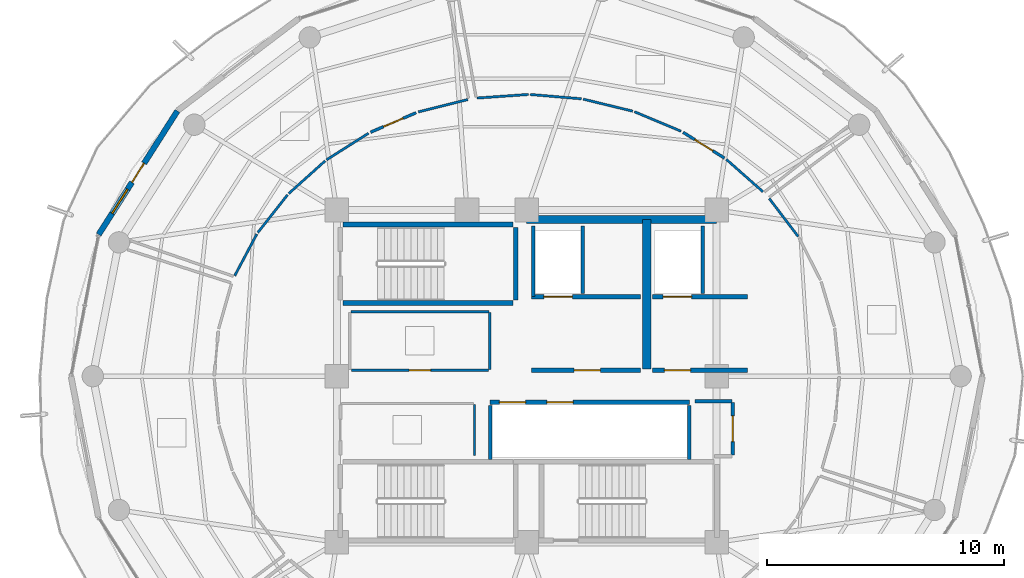
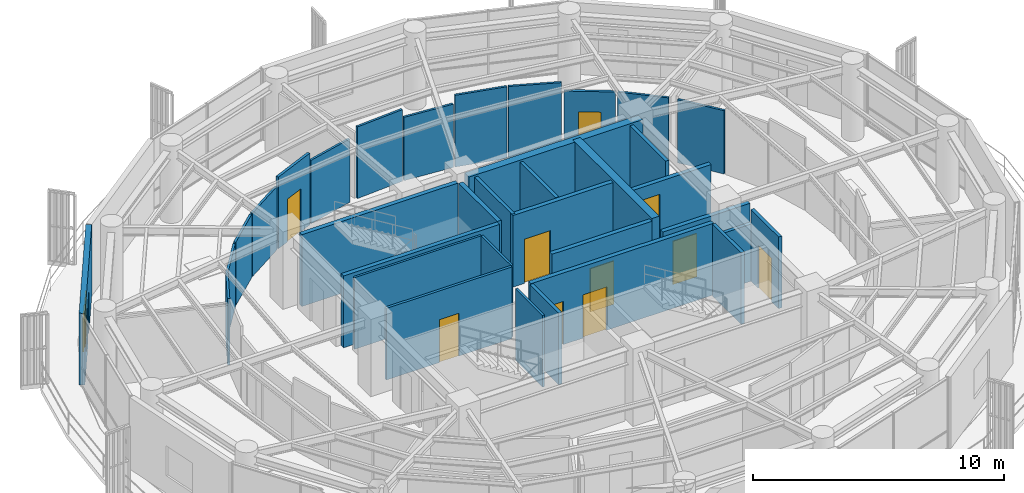
# One storey, part 17 of 23: 35 walls, 11 doors, 1 window, 12 openings.
"""IFC4 building model written with IfcOpenShell, lengths in metres."""

from ifc_helpers import new_model, si_unit, direction, frame, frame_2d, origin, place, context, subcontext, project, spatial, rectangle, extrude, material, layer, layer_set, type_object, element, fill, save


model = new_model("IFC4")

# Units and contexts
model_context = context("Model", 3, precision=1e-05, world=origin(), true_north=direction((0.0, 1.0)))
body_context = subcontext(model_context, "Body", "Model", "MODEL_VIEW")
ifc_project = project(units=[si_unit("LENGTHUNIT", "METRE"), si_unit("AREAUNIT", "SQUARE_METRE"), si_unit("VOLUMEUNIT", "CUBIC_METRE"), si_unit("PLANEANGLEUNIT", "RADIAN"), si_unit("MASSUNIT", "GRAM", prefix="KILO")], contexts=[model_context])

# Site, building, storey
site_placement = place(None, origin())
site = spatial("IfcSite", under=ifc_project, at=site_placement, CompositionType="ELEMENT")
building_placement = place(site_placement, origin())
building = spatial("IfcBuilding", under=site, at=building_placement, Name="Kelanora Arch Commons", CompositionType="ELEMENT")
storey_placement = place(building_placement, frame((0.0, 0.0, 286.199951171875)))
storey = spatial("IfcBuildingStorey", under=building, at=storey_placement, Name="L73", CompositionType="ELEMENT", Elevation=286.199951171875)

# Walls
ifc_material_1 = material(Name="Autoclaved aerated concrete blockwork with fire plaster", Category="masonry")
ifc_layer_1 = layer(ifc_material_1, 0.14990234375)
ifc_layer_set_1 = layer_set([ifc_layer_1], Name="Autoclaved aerated concrete blockwork with fire plaster")
wall_type_1 = type_object("IfcWallType", Name="W-COMP-150", PredefinedType="PARTITIONING", material=ifc_layer_set_1)
wall_1_placement = place(storey_placement, frame((74.280029296875, 61.35009765625, 0.0), z_axis=(0.0, 0.0, 1.0), x_axis=(0.0, 1.0, 0.0)))
element("IfcWall", 1, at=wall_1_placement, inside=storey, type_object=wall_type_1, Name="Firefighting Lift 1 West Shaft Wall L73", PredefinedType="PARTITIONING", context=body_context, shape_type="SweptSolid", body=[
    extrude(rectangle(XDim=2.969970703125, YDim=0.14990234375, at=frame_2d((1.48486328125, 0.0))), origin(), (0.0, 0.0, 1.0), 3.47998046875),
])
for number, where, z_axis, x_axis, name in (
    (2, (76.360107421875, 61.47998046875, 0.0), (0.0, 0.0, 1.0), (0.0, 1.0, 0.0), "Firefighting Lift 1 East Shaft Wall L73"),
    (3, (81.419921875, 61.47998046875, 0.0), (0.0, 0.0, 1.0), (0.0, 1.0, 0.0), "Firefighting Lift 2 East Shaft Wall L73"),
):
    element("IfcWall", number, at=place(storey_placement, frame(where, z_axis=z_axis, x_axis=x_axis)), inside=storey, type_object=wall_type_1, Name=name, PredefinedType="PARTITIONING", context=body_context, shape_type="SweptSolid", body=[
        extrude(rectangle(XDim=2.840087890625, YDim=0.14990234375, at=frame_2d((1.419921875, 0.0))), origin(), (0.0, 0.0, 1.0), 3.47998046875),
    ])
for number, where, z_axis, x_axis, name in (
    (4, (72.4599609375, 54.47998046875, 0.0), (0.0, 0.0, 1.0), (0.0, 1.0, 0.0), "South Lift Bank West Wall L73"),
    (5, (80.840087890625, 54.47998046875, 0.0), (0.0, 0.0, 1.0), (0.0, 1.0, 0.0), "South Lift Bank East Wall L73"),
):
    element("IfcWall", number, at=place(storey_placement, frame(where, z_axis=z_axis, x_axis=x_axis)), inside=storey, type_object=wall_type_1, Name=name, PredefinedType="PARTITIONING", context=body_context, shape_type="SweptSolid", body=[
        extrude(rectangle(XDim=2.2900390625, YDim=0.14990234375, at=frame_2d((1.14501953125, 0.0))), origin(), (0.0, 0.0, 1.0), 3.47998046875),
    ])

# Wall, opening, door
wall_2_placement = place(storey_placement, frame((82.679931640625, 54.679931640625, 0.0), z_axis=(0.0, 0.0, 1.0), x_axis=(0.0, 1.0, 0.0)))
wall_2 = element("IfcWall", 6, at=wall_2_placement, inside=storey, type_object=wall_type_1, Name="Core Housekeeping Store L73 Entry Partition", PredefinedType="PARTITIONING", context=body_context, shape_type="SweptSolid", body=[
    extrude(rectangle(XDim=2.2099609375, YDim=0.14990234375, at=frame_2d((1.10498046875, 0.0))), origin(), (0.0, 0.0, 1.0), 3.47998046875),
])
opening_1_placement = place(wall_2_placement, frame((0.56494140625, 0.0, 0.0)))
opening_1 = element("IfcOpeningElement", 7, at=opening_1_placement, cuts=wall_2, Name="Opening D-PLT1", PredefinedType="OPENING", context=body_context, shape_type="SweptSolid", body=[
    extrude(rectangle(XDim=1.080078125, YDim=2.10009765625, at=frame_2d((0.5400390625, 1.050048828125))), frame((0.0, 0.0849609375, 0.0), z_axis=(0.0, -1.0, 0.0), x_axis=(1.0, 0.0, 0.0)), (0.0, 0.0, 1.0), 0.169921875),
])
ifc_material_2 = material(Name="Galvanised steel plant and riser fire door", Category="steel")
door_type_1 = type_object("IfcDoorType", Name="D-PLT-110", OperationType="NOTDEFINED", PredefinedType="DOOR", material=ifc_material_2)
door_1_placement = place(opening_1_placement, origin())
door_1 = element("IfcDoor", 8, at=door_1_placement, inside=storey, type_object=door_type_1, Name="Core Housekeeping Store L73 Door", OperationType="SINGLE_SWING_LEFT", OverallHeight=2.10009765625, OverallWidth=1.080078125, PredefinedType="DOOR", context=body_context, shape_type="SweptSolid", body=[
    extrude(rectangle(XDim=1.080078125, YDim=2.10009765625, at=frame_2d((0.5400390625, 1.050048828125))), frame((0.0, 0.02490234375, 0.0), z_axis=(0.0, -1.0, 0.0), x_axis=(1.0, 0.0, 0.0)), (0.0, 0.0, 1.0), 0.050048828125),
])
fill(opening_1, door_1)

# Walls
wall_3_placement = place(storey_placement, frame((82.639892578125, 56.949951171875, 0.0), z_axis=(0.0, 0.0, 1.0), x_axis=(-1.0, 0.0, 0.0)))
element("IfcWall", 9, at=wall_3_placement, inside=storey, type_object=wall_type_1, Name="Core Housekeeping Store L73 Enclosure Partition 3", PredefinedType="PARTITIONING", context=body_context, shape_type="SweptSolid", body=[
    extrude(rectangle(XDim=1.5498046875, YDim=0.14990234375, at=frame_2d((0.77490234375, 0.0))), origin(), (0.0, 0.0, 1.0), 2.775146484375),
])
ifc_material_3 = material(Name="Concrete C50/60", Category="concrete")
ifc_layer_2 = layer(ifc_material_3, 0.35009765625)
ifc_layer_set_2 = layer_set([ifc_layer_2], Name="Concrete C50/60")
wall_type_2 = type_object("IfcWallType", Name="W-CORE-350", PredefinedType="SHEAR", material=ifc_layer_set_2)
wall_4_placement = place(storey_placement, frame((74.0, 64.60009765625, 0.0), z_axis=(0.0, 0.0, 1.0), x_axis=(1.0, 0.0, 0.0)))
element("IfcWall", 10, at=wall_4_placement, inside=storey, type_object=wall_type_2, Name="Core Shear Spine L73-CN-E", PredefinedType="SHEAR", context=body_context, shape_type="SweptSolid", body=[
    extrude(rectangle(XDim=8.0, YDim=0.35009765625, at=frame_2d((4.0, 0.0))), origin(), (0.0, 0.0, 1.0), 3.489990234375),
])
wall_5_placement = place(storey_placement, frame((79.050048828125, 58.300048828125, 0.0), z_axis=(0.0, 0.0, 1.0), x_axis=(0.0, 1.0, 0.0)))
element("IfcWall", 11, at=wall_5_placement, inside=storey, type_object=wall_type_2, Name="Core Shear Spine L73-CE-N", PredefinedType="SHEAR", context=body_context, shape_type="SweptSolid", body=[
    extrude(rectangle(XDim=6.300048828125, YDim=0.35009765625, at=frame_2d((3.14990234375, 0.0))), origin(), (0.0, 0.0, 1.0), 3.489990234375),
])

# Wall, openings, door, window
ifc_material_4 = material(Name="Precast concrete C40/50 upper-zone terracotta rainscreen", Category="masonry")
ifc_layer_3 = layer(ifc_material_4, 0.239990234375)
ifc_layer_set_3 = layer_set([ifc_layer_3], Name="Precast concrete C40/50 upper-zone terracotta rainscreen")
wall_type_3 = type_object("IfcWallType", Name="W-EXT-TC2", PredefinedType="SOLIDWALL", material=ifc_layer_set_3)
wall_6_placement = place(storey_placement, frame((59.28369140625, 69.171875, 0.0), z_axis=(0.0, 0.0, 1.0), x_axis=(-0.537271968456, -0.843409053728, 0.0)))
wall_6 = element("IfcWall", 12, at=wall_6_placement, inside=storey, type_object=wall_type_3, Name="Terracotta Exterior Wall L73-B07", PredefinedType="SOLIDWALL", context=body_context, shape_type="SweptSolid", body=[
    extrude(rectangle(XDim=6.175048828125, YDim=0.239990234375, at=frame_2d((3.08740234375, 0.0))), origin(), (0.0, 0.0, 1.0), 3.47509765625),
])
opening_2_placement = place(wall_6_placement, frame((2.613037109375, 0.0, 0.0)))
opening_2 = element("IfcOpeningElement", 13, at=opening_2_placement, cuts=wall_6, Name="Opening DB-01", PredefinedType="OPENING", context=body_context, shape_type="SweptSolid", body=[
    extrude(rectangle(XDim=0.949951171875, YDim=2.10009765625, at=frame_2d((0.47509765625, 1.050048828125))), frame((0.0, 0.1298828125, 0.0), z_axis=(0.0, -1.0, 0.0), x_axis=(1.0, 0.0, 0.0)), (0.0, 0.0, 1.0), 0.260009765625),
])
opening_3_placement = place(wall_6_placement, frame((3.9130859375, 0.0, 0.85009765625)))
opening_3 = element("IfcOpeningElement", 14, at=opening_3_placement, cuts=wall_6, Name="Opening WN-02", PredefinedType="OPENING", context=body_context, shape_type="SweptSolid", body=[
    extrude(rectangle(XDim=1.199951171875, YDim=1.449951171875, at=frame_2d((0.60009765625, 0.72509765625))), frame((0.0, 0.1298828125, 0.0), z_axis=(0.0, -1.0, 0.0), x_axis=(1.0, 0.0, 0.0)), (0.0, 0.0, 1.0), 0.260009765625),
])
ifc_material_5 = material(Name="Terracotta-aluminium thermally broken glazed balcony door", Category="masonry")
door_type_2 = type_object("IfcDoorType", Name="D-BAL-10", OperationType="NOTDEFINED", PredefinedType="DOOR", material=ifc_material_5)
door_2_placement = place(opening_2_placement, frame((0.949951171875, 0.0, 0.0), z_axis=(0.0, 0.0, 1.0), x_axis=(-1.0, 0.0, 0.0)))
door_2 = element("IfcDoor", 15, at=door_2_placement, inside=storey, type_object=door_type_2, Name="Wave Balcony Door L73-B07", OperationType="SINGLE_SWING_LEFT", OverallHeight=2.10009765625, OverallWidth=0.949951171875, PredefinedType="DOOR", context=body_context, shape_type="SweptSolid", body=[
    extrude(rectangle(XDim=0.949951171875, YDim=2.10009765625, at=frame_2d((0.47509765625, 1.050048828125))), frame((0.0, 0.02490234375, 0.0), z_axis=(0.0, -1.0, 0.0), x_axis=(1.0, 0.0, 0.0)), (0.0, 0.0, 1.0), 0.050048828125),
])
fill(opening_2, door_2)
ifc_material_6 = material(Name="Terracotta-anodised aluminium frame with operable awning sash", Category="masonry")
window_type = type_object("IfcWindowType", Name="WIN-CL-12", PartitioningType="SINGLE_PANEL", PredefinedType="WINDOW", material=ifc_material_6)
window_placement = place(opening_3_placement, origin())
window = element("IfcWindow", 16, at=window_placement, inside=storey, type_object=window_type, Name="Co-Living Operable Window L73-B07", OverallHeight=1.449951171875, OverallWidth=1.199951171875, PartitioningType="SINGLE_PANEL", PredefinedType="WINDOW", context=body_context, shape_type="SweptSolid", body=[
    extrude(rectangle(XDim=1.199951171875, YDim=1.449951171875, at=frame_2d((0.60009765625, 0.72509765625))), frame((0.0, 0.030029296875, 0.0), z_axis=(0.0, -1.0, 0.0), x_axis=(1.0, 0.0, 0.0)), (0.0, 0.0, 1.0), 0.06005859375),
])
fill(opening_3, window)

# Wall, opening, door
ifc_material_7 = material(Name="Concrete C40/50", Category="concrete")
ifc_layer_4 = layer(ifc_material_7, 0.199951171875)
ifc_layer_set_4 = layer_set([ifc_layer_4], Name="Concrete C40/50")
wall_type_4 = type_object("IfcWallType", Name="W-FFL-200", PredefinedType="SOLIDWALL", material=ifc_layer_set_4)
wall_7_placement = place(storey_placement, frame((74.199951171875, 61.35009765625, 0.0), z_axis=(0.0, 0.0, 1.0), x_axis=(1.0, 0.0, 0.0)))
wall_7 = element("IfcWall", 17, at=wall_7_placement, inside=storey, type_object=wall_type_4, Name="Firefighting Lift 1 Shaft Front L73", PredefinedType="SOLIDWALL", context=body_context, shape_type="SweptSolid", body=[
    extrude(rectangle(XDim=4.60009765625, YDim=0.199951171875, at=frame_2d((2.300048828125, 0.0))), origin(), (0.0, 0.0, 1.0), 3.47998046875),
])
opening_4_placement = place(wall_7_placement, frame((0.52001953125, 0.0, 0.0)))
opening_4 = element("IfcOpeningElement", 18, at=opening_4_placement, cuts=wall_7, Name="Opening LD-FF", PredefinedType="OPENING", context=body_context, shape_type="SweptSolid", body=[
    extrude(rectangle(XDim=1.199951171875, YDim=2.14990234375, at=frame_2d((0.60009765625, 1.074951171875))), frame((0.0, 0.10986328125, 0.0), z_axis=(0.0, -1.0, 0.0), x_axis=(1.0, 0.0, 0.0)), (0.0, 0.0, 1.0), 0.219970703125),
])
ifc_material_8 = material(Name="Fire-rated firefighters lift sliding landing door")
door_type_3 = type_object("IfcDoorType", Name="D-LIFT-FF", OperationType="NOTDEFINED", PredefinedType="DOOR", material=ifc_material_8)
door_3_placement = place(opening_4_placement, origin())
door_3 = element("IfcDoor", 19, at=door_3_placement, inside=storey, type_object=door_type_3, Name="Firefighting Lift LF-FF1 Landing Door L73", OperationType="DOUBLE_DOOR_SLIDING", OverallHeight=2.14990234375, OverallWidth=1.199951171875, PredefinedType="DOOR", context=body_context, shape_type="SweptSolid", body=[
    extrude(rectangle(XDim=1.199951171875, YDim=2.14990234375, at=frame_2d((0.60009765625, 1.074951171875))), frame((0.0, 0.02490234375, 0.0), z_axis=(0.0, -1.0, 0.0), x_axis=(1.0, 0.0, 0.0)), (0.0, 0.0, 1.0), 0.050048828125),
])
fill(opening_4, door_3)

wall_8_placement = place(storey_placement, frame((79.300048828125, 61.35009765625, 0.0), z_axis=(0.0, 0.0, 1.0), x_axis=(1.0, 0.0, 0.0)))
wall_8 = element("IfcWall", 20, at=wall_8_placement, inside=storey, type_object=wall_type_4, Name="Firefighting Lift 2 Shaft Front L73", PredefinedType="SOLIDWALL", context=body_context, shape_type="SweptSolid", body=[
    extrude(rectangle(XDim=4.0, YDim=0.199951171875, at=frame_2d((2.0, 0.0))), origin(), (0.0, 0.0, 1.0), 2.775146484375),
])
opening_5_placement = place(wall_8_placement, frame((0.449951171875, 0.0, 0.0)))
opening_5 = element("IfcOpeningElement", 21, at=opening_5_placement, cuts=wall_8, Name="Opening LD-FF", PredefinedType="OPENING", context=body_context, shape_type="SweptSolid", body=[
    extrude(rectangle(XDim=1.199951171875, YDim=2.14990234375, at=frame_2d((0.60009765625, 1.074951171875))), frame((0.0, 0.10986328125, 0.0), z_axis=(0.0, -1.0, 0.0), x_axis=(1.0, 0.0, 0.0)), (0.0, 0.0, 1.0), 0.219970703125),
])
door_4_placement = place(opening_5_placement, origin())
door_4 = element("IfcDoor", 22, at=door_4_placement, inside=storey, type_object=door_type_3, Name="Firefighting Lift LF-FF2 Landing Door L73", OperationType="DOUBLE_DOOR_SLIDING", OverallHeight=2.14990234375, OverallWidth=1.199951171875, PredefinedType="DOOR", context=body_context, shape_type="SweptSolid", body=[
    extrude(rectangle(XDim=1.199951171875, YDim=2.14990234375, at=frame_2d((0.60009765625, 1.074951171875))), frame((0.0, 0.02490234375, 0.0), z_axis=(0.0, -1.0, 0.0), x_axis=(1.0, 0.0, 0.0)), (0.0, 0.0, 1.0), 0.050048828125),
])
fill(opening_5, door_4)

wall_9_placement = place(storey_placement, frame((74.199951171875, 58.25, 0.0), z_axis=(0.0, 0.0, 1.0), x_axis=(1.0, 0.0, 0.0)))
wall_9 = element("IfcWall", 23, at=wall_9_placement, inside=storey, type_object=wall_type_4, Name="Firefighting Lobby 1 Enclosure Wall L73", PredefinedType="SOLIDWALL", context=body_context, shape_type="SweptSolid", body=[
    extrude(rectangle(XDim=4.60009765625, YDim=0.199951171875, at=frame_2d((2.300048828125, 0.0))), origin(), (0.0, 0.0, 1.0), 3.47998046875),
])
opening_6_placement = place(wall_9_placement, frame((1.800048828125, 0.0, 0.0)))
opening_6 = element("IfcOpeningElement", 24, at=opening_6_placement, cuts=wall_9, Name="Opening D-FFL1", PredefinedType="OPENING", context=body_context, shape_type="SweptSolid", body=[
    extrude(rectangle(XDim=1.10009765625, YDim=2.10009765625, at=frame_2d((0.550048828125, 1.050048828125))), frame((0.0, 0.10986328125, 0.0), z_axis=(0.0, -1.0, 0.0), x_axis=(1.0, 0.0, 0.0)), (0.0, 0.0, 1.0), 0.219970703125),
])
ifc_material_9 = material(Name="Smoke-sealed firefighting lobby fire door")
door_type_4 = type_object("IfcDoorType", Name="D-FFL-110", OperationType="NOTDEFINED", PredefinedType="DOOR", material=ifc_material_9)
door_5_placement = place(opening_6_placement, frame((1.10009765625, 0.0, 0.0), z_axis=(0.0, 0.0, 1.0), x_axis=(-1.0, 0.0, 0.0)))
door_5 = element("IfcDoor", 25, at=door_5_placement, inside=storey, type_object=door_type_4, Name="Firefighting Lobby 1 Door L73", OperationType="SINGLE_SWING_LEFT", OverallHeight=2.10009765625, OverallWidth=1.10009765625, PredefinedType="DOOR", context=body_context, shape_type="SweptSolid", body=[
    extrude(rectangle(XDim=1.10009765625, YDim=2.10009765625, at=frame_2d((0.550048828125, 1.050048828125))), frame((0.0, 0.02490234375, 0.0), z_axis=(0.0, -1.0, 0.0), x_axis=(1.0, 0.0, 0.0)), (0.0, 0.0, 1.0), 0.050048828125),
])
fill(opening_6, door_5)

wall_10_placement = place(storey_placement, frame((79.300048828125, 58.25, 0.0), z_axis=(0.0, 0.0, 1.0), x_axis=(1.0, 0.0, 0.0)))
wall_10 = element("IfcWall", 26, at=wall_10_placement, inside=storey, type_object=wall_type_4, Name="Firefighting Lobby 2 Enclosure Wall L73", PredefinedType="SOLIDWALL", context=body_context, shape_type="SweptSolid", body=[
    extrude(rectangle(XDim=4.0, YDim=0.199951171875, at=frame_2d((2.0, 0.0))), origin(), (0.0, 0.0, 1.0), 2.775146484375),
])
opening_7_placement = place(wall_10_placement, frame((0.5, 0.0, 0.0)))
opening_7 = element("IfcOpeningElement", 27, at=opening_7_placement, cuts=wall_10, Name="Opening D-FFL1", PredefinedType="OPENING", context=body_context, shape_type="SweptSolid", body=[
    extrude(rectangle(XDim=1.10009765625, YDim=2.10009765625, at=frame_2d((0.550048828125, 1.050048828125))), frame((0.0, 0.10986328125, 0.0), z_axis=(0.0, -1.0, 0.0), x_axis=(1.0, 0.0, 0.0)), (0.0, 0.0, 1.0), 0.219970703125),
])
door_6_placement = place(opening_7_placement, frame((1.10009765625, 0.0, 0.0), z_axis=(0.0, 0.0, 1.0), x_axis=(-1.0, 0.0, 0.0)))
door_6 = element("IfcDoor", 28, at=door_6_placement, inside=storey, type_object=door_type_4, Name="Firefighting Lobby 2 Door L73", OperationType="SINGLE_SWING_RIGHT", OverallHeight=2.10009765625, OverallWidth=1.10009765625, PredefinedType="DOOR", context=body_context, shape_type="SweptSolid", body=[
    extrude(rectangle(XDim=1.10009765625, YDim=2.10009765625, at=frame_2d((0.550048828125, 1.050048828125))), frame((0.0, 0.02490234375, 0.0), z_axis=(0.0, -1.0, 0.0), x_axis=(1.0, 0.0, 0.0)), (0.0, 0.0, 1.0), 0.050048828125),
])
fill(opening_7, door_6)

# Wall, openings, doors
wall_11_placement = place(storey_placement, frame((72.449951171875, 56.89990234375, 0.0), z_axis=(0.0, 0.0, 1.0), x_axis=(1.0, 0.0, 0.0)))
wall_11 = element("IfcWall", 29, at=wall_11_placement, inside=storey, type_object=wall_type_4, Name="Mid/High/Express Lift Shaft Front L73", PredefinedType="SOLIDWALL", context=body_context, shape_type="SweptSolid", body=[
    extrude(rectangle(XDim=8.400146484375, YDim=0.199951171875, at=frame_2d((4.2001953125, 0.0))), origin(), (0.0, 0.0, 1.0), 3.47998046875),
])
opening_8_placement = place(wall_11_placement, frame((0.39990234375, 0.0, 0.0)))
opening_8 = element("IfcOpeningElement", 30, at=opening_8_placement, cuts=wall_11, Name="Opening LD-01", PredefinedType="OPENING", context=body_context, shape_type="SweptSolid", body=[
    extrude(rectangle(XDim=1.10009765625, YDim=2.10009765625, at=frame_2d((0.550048828125, 1.050048828125))), frame((0.0, 0.10986328125, 0.0), z_axis=(0.0, -1.0, 0.0), x_axis=(1.0, 0.0, 0.0)), (0.0, 0.0, 1.0), 0.219970703125),
])
opening_9_placement = place(wall_11_placement, frame((2.39990234375, 0.0, 0.0)))
opening_9 = element("IfcOpeningElement", 31, at=opening_9_placement, cuts=wall_11, Name="Opening LD-01", PredefinedType="OPENING", context=body_context, shape_type="SweptSolid", body=[
    extrude(rectangle(XDim=1.10009765625, YDim=2.10009765625, at=frame_2d((0.550048828125, 1.050048828125))), frame((0.0, 0.10986328125, 0.0), z_axis=(0.0, -1.0, 0.0), x_axis=(1.0, 0.0, 0.0)), (0.0, 0.0, 1.0), 0.219970703125),
])
ifc_material_10 = material(Name="Stainless steel passenger lift sliding landing door", Category="steel")
door_type_5 = type_object("IfcDoorType", Name="D-LIFT-110", OperationType="NOTDEFINED", PredefinedType="DOOR", material=ifc_material_10)
door_7_placement = place(opening_8_placement, origin())
door_7 = element("IfcDoor", 32, at=door_7_placement, inside=storey, type_object=door_type_5, Name="Passenger Lift LF-P7 Landing Door L73", OperationType="DOUBLE_DOOR_SLIDING", OverallHeight=2.10009765625, OverallWidth=1.10009765625, PredefinedType="DOOR", context=body_context, shape_type="SweptSolid", body=[
    extrude(rectangle(XDim=1.10009765625, YDim=2.10009765625, at=frame_2d((0.550048828125, 1.050048828125))), frame((0.0, 0.02490234375, 0.0), z_axis=(0.0, -1.0, 0.0), x_axis=(1.0, 0.0, 0.0)), (0.0, 0.0, 1.0), 0.050048828125),
])
fill(opening_8, door_7)
door_8_placement = place(opening_9_placement, origin())
door_8 = element("IfcDoor", 33, at=door_8_placement, inside=storey, type_object=door_type_5, Name="Passenger Lift LF-P8 Landing Door L73", OperationType="DOUBLE_DOOR_SLIDING", OverallHeight=2.10009765625, OverallWidth=1.10009765625, PredefinedType="DOOR", context=body_context, shape_type="SweptSolid", body=[
    extrude(rectangle(XDim=1.10009765625, YDim=2.10009765625, at=frame_2d((0.550048828125, 1.050048828125))), frame((0.0, 0.02490234375, 0.0), z_axis=(0.0, -1.0, 0.0), x_axis=(1.0, 0.0, 0.0)), (0.0, 0.0, 1.0), 0.050048828125),
])
fill(opening_9, door_8)

# Walls
ifc_material_11 = material(Name="Lightweight fire-rated acoustic stud partition")
ifc_layer_5 = layer(ifc_material_11, 0.10009765625)
ifc_layer_set_5 = layer_set([ifc_layer_5], Name="Lightweight fire-rated acoustic stud partition")
wall_type_5 = type_object("IfcWallType", Name="W-PART-100", PredefinedType="PARTITIONING", material=ifc_layer_set_5)
wall_12_placement = place(storey_placement, frame((72.449951171875, 58.2900390625, 0.0), z_axis=(0.0, 0.0, 1.0), x_axis=(0.0, 1.0, 0.0)))
element("IfcWall", 34, at=wall_12_placement, inside=storey, type_object=wall_type_5, Name="Reclaimed Core Study Pod Lounge L73 Enclosure Partition 2", PredefinedType="PARTITIONING", context=body_context, shape_type="SweptSolid", body=[
    extrude(rectangle(XDim=2.389892578125, YDim=0.10009765625, at=frame_2d((1.19482421875, 0.0))), origin(), (0.0, 0.0, 1.0), 3.47998046875),
])
wall_13_placement = place(storey_placement, frame((72.409912109375, 60.719970703125, 0.0), z_axis=(0.0, 0.0, 1.0), x_axis=(-1.0, 0.0, 0.0)))
element("IfcWall", 35, at=wall_13_placement, inside=storey, type_object=wall_type_5, Name="Reclaimed Core Study Pod Lounge L73 Enclosure Partition 3", PredefinedType="PARTITIONING", context=body_context, shape_type="SweptSolid", body=[
    extrude(rectangle(XDim=5.81982421875, YDim=0.10009765625, at=frame_2d((2.909912109375, 0.0))), origin(), (0.0, 0.0, 1.0), 3.47998046875),
])
wall_14_placement = place(storey_placement, frame((71.800048828125, 54.659912109375, 0.0), z_axis=(0.0, 0.0, 1.0), x_axis=(0.0, 1.0, 0.0)))
element("IfcWall", 36, at=wall_14_placement, inside=storey, type_object=wall_type_5, Name="Reclaimed Core High-Zone Pantry and Copy Room L73 Enclosure Partition 2", PredefinedType="PARTITIONING", context=body_context, shape_type="SweptSolid", body=[
    extrude(rectangle(XDim=2.150146484375, YDim=0.10009765625, at=frame_2d((1.0751953125, 0.0))), origin(), (0.0, 0.0, 1.0), 3.47998046875),
])
wall_15_placement = place(storey_placement, frame((71.51611328125, 69.654296875, 0.0), z_axis=(0.0, 0.0, 1.0), x_axis=(-0.969827312174, -0.243792913272, 0.0)))
element("IfcWall", 37, at=wall_15_placement, inside=storey, type_object=wall_type_5, Name="Communal Dining and Social Hall L73-01 Enclosure Partition 1", PredefinedType="PARTITIONING", context=body_context, shape_type="SweptSolid", body=[
    extrude(rectangle(XDim=2.14697265625, YDim=0.10009765625, at=frame_2d((1.073486328125, 0.0))), origin(), (0.0, 0.0, 1.0), 3.074951171875),
])
wall_16_placement = place(storey_placement, frame((67.335205078125, 68.233642578125, 0.0), z_axis=(0.0, 0.0, 1.0), x_axis=(-0.844856002064, -0.534993771717, 0.0)))
element("IfcWall", 38, at=wall_16_placement, inside=storey, type_object=wall_type_5, Name="Communal Dining and Social Hall L73-01 Enclosure Partition 3", PredefinedType="PARTITIONING", context=body_context, shape_type="SweptSolid", body=[
    extrude(rectangle(XDim=2.091796875, YDim=0.10009765625, at=frame_2d((1.0458984375, 0.0))), origin(), (0.0, 0.0, 1.0), 3.074951171875),
])
wall_17_placement = place(storey_placement, frame((65.504150390625, 67.06640625, 0.0), z_axis=(0.0, 0.0, 1.0), x_axis=(-0.743943808924, -0.668242178527, 0.0)))
element("IfcWall", 39, at=wall_17_placement, inside=storey, type_object=wall_type_5, Name="Communal Dining and Social Hall L73-01 Enclosure Partition 4", PredefinedType="PARTITIONING", context=body_context, shape_type="SweptSolid", body=[
    extrude(rectangle(XDim=2.054443359375, YDim=0.10009765625, at=frame_2d((1.02734375, 0.0))), origin(), (0.0, 0.0, 1.0), 3.074951171875),
])
wall_18_placement = place(storey_placement, frame((63.92138671875, 65.635498046875, 0.0), z_axis=(0.0, 0.0, 1.0), x_axis=(-0.618820199788, -0.785532660259, 0.0)))
element("IfcWall", 40, at=wall_18_placement, inside=storey, type_object=wall_type_5, Name="Communal Dining and Social Hall L73-01 Enclosure Partition 5", PredefinedType="PARTITIONING", context=body_context, shape_type="SweptSolid", body=[
    extrude(rectangle(XDim=2.01806640625, YDim=0.10009765625, at=frame_2d((1.009033203125, 0.0))), origin(), (0.0, 0.0, 1.0), 3.074951171875),
])
wall_19_placement = place(storey_placement, frame((62.629150390625, 63.983642578125, 0.0), z_axis=(0.0, 0.0, 1.0), x_axis=(-0.468933294906, -0.883233584579, 0.0)))
element("IfcWall", 41, at=wall_19_placement, inside=storey, type_object=wall_type_5, Name="Communal Dining and Social Hall L73-01 Enclosure Partition 6", PredefinedType="PARTITIONING", context=body_context, shape_type="SweptSolid", body=[
    extrude(rectangle(XDim=1.984130859375, YDim=0.10009765625, at=frame_2d((0.9921875, 0.0))), origin(), (0.0, 0.0, 1.0), 3.235107421875),
])
wall_20_placement = place(storey_placement, frame((85.434814453125, 63.8828125, 0.0), z_axis=(0.0, 0.0, 1.0), x_axis=(-0.605473441765, 0.795865510823, 0.0)))
element("IfcWall", 42, at=wall_20_placement, inside=storey, type_object=wall_type_5, Name="Communal Dining and Social Hall L73-05 Enclosure Partition 6", PredefinedType="PARTITIONING", context=body_context, shape_type="SweptSolid", body=[
    extrude(rectangle(XDim=2.014404296875, YDim=0.10009765625, at=frame_2d((1.00732421875, 0.0))), origin(), (0.0, 0.0, 1.0), 3.074951171875),
])
wall_21_placement = place(storey_placement, frame((83.955078125, 65.7666015625, 0.0), z_axis=(0.0, 0.0, 1.0), x_axis=(-0.749539941976, 0.661959119117, 0.0)))
element("IfcWall", 43, at=wall_21_placement, inside=storey, type_object=wall_type_5, Name="Social Sky Lounge L73-06 Enclosure Partition 1", PredefinedType="PARTITIONING", context=body_context, shape_type="SweptSolid", body=[
    extrude(rectangle(XDim=2.057373046875, YDim=0.10009765625, at=frame_2d((1.02880859375, 0.0))), origin(), (0.0, 0.0, 1.0), 3.074951171875),
])
wall_22_placement = place(storey_placement, frame((80.501220703125, 68.3193359375, 0.0), z_axis=(0.0, 0.0, 1.0), x_axis=(-0.922644563927, 0.385651408213, 0.0)))
element("IfcWall", 44, at=wall_22_placement, inside=storey, type_object=wall_type_5, Name="Social Sky Lounge L73-06 Enclosure Partition 3", PredefinedType="PARTITIONING", context=body_context, shape_type="SweptSolid", body=[
    extrude(rectangle(XDim=2.12451171875, YDim=0.10009765625, at=frame_2d((1.062255859375, 0.0))), origin(), (0.0, 0.0, 1.0), 3.47998046875),
])
wall_23_placement = place(storey_placement, frame((78.465087890625, 69.16357421875, 0.0), z_axis=(0.0, 0.0, 1.0), x_axis=(-0.971628772742, 0.236511158257, 0.0)))
element("IfcWall", 45, at=wall_23_placement, inside=storey, type_object=wall_type_5, Name="Social Sky Lounge L73-06 Enclosure Partition 4", PredefinedType="PARTITIONING", context=body_context, shape_type="SweptSolid", body=[
    extrude(rectangle(XDim=2.147216796875, YDim=0.10009765625, at=frame_2d((1.07373046875, 0.0))), origin(), (0.0, 0.0, 1.0), 3.47998046875),
])
wall_24_placement = place(storey_placement, frame((76.300048828125, 69.684326171875, 0.0), z_axis=(0.0, 0.0, 1.0), x_axis=(-0.99643184896, 0.084401246306, 0.0)))
element("IfcWall", 46, at=wall_24_placement, inside=storey, type_object=wall_type_5, Name="Social Sky Lounge L73-06 Enclosure Partition 5", PredefinedType="PARTITIONING", context=body_context, shape_type="SweptSolid", body=[
    extrude(rectangle(XDim=2.160888671875, YDim=0.10009765625, at=frame_2d((1.08056640625, 0.0))), origin(), (0.0, 0.0, 1.0), 3.074951171875),
])
wall_25_placement = place(storey_placement, frame((74.067138671875, 69.8671875, 0.0), z_axis=(0.0, 0.0, 1.0), x_axis=(-0.997574370957, -0.069608723664, 0.0)))
element("IfcWall", 47, at=wall_25_placement, inside=storey, type_object=wall_type_5, Name="Social Sky Lounge L73-06 Enclosure Partition 6", PredefinedType="PARTITIONING", context=body_context, shape_type="SweptSolid", body=[
    extrude(rectangle(XDim=2.160400390625, YDim=0.10009765625, at=frame_2d((1.080078125, 0.0))), origin(), (0.0, 0.0, 1.0), 3.47998046875),
])

# Wall, opening, door
ifc_material_12 = material(Name="Acoustic twin-stud fire-rated gypsum partition")
ifc_layer_6 = layer(ifc_material_12, 0.1201171875)
ifc_layer_set_6 = layer_set([ifc_layer_6], Name="Acoustic twin-stud fire-rated gypsum partition")
wall_type_6 = type_object("IfcWallType", Name="W-PART-120", PredefinedType="PARTITIONING", material=ifc_layer_set_6)
wall_26_placement = place(storey_placement, frame((66.610107421875, 58.25, 0.0), z_axis=(0.0, 0.0, 1.0), x_axis=(1.0, 0.0, 0.0)))
wall_26 = element("IfcWall", 48, at=wall_26_placement, inside=storey, type_object=wall_type_6, Name="Reclaimed Core Study Pod Lounge L73 Entry Partition", PredefinedType="PARTITIONING", context=body_context, shape_type="SweptSolid", body=[
    extrude(rectangle(XDim=5.77978515625, YDim=0.1201171875, at=frame_2d((2.889892578125, 0.0))), origin(), (0.0, 0.0, 1.0), 3.47998046875),
])
opening_10_placement = place(wall_26_placement, frame((2.43994140625, 0.0, 0.0)))
opening_10 = element("IfcOpeningElement", 49, at=opening_10_placement, cuts=wall_26, Name="Opening D-RM1", PredefinedType="OPENING", context=body_context, shape_type="SweptSolid", body=[
    extrude(rectangle(XDim=0.89990234375, YDim=2.080078125, at=frame_2d((0.449951171875, 1.0400390625))), frame((0.0, 0.070068359375, 0.0), z_axis=(0.0, -1.0, 0.0), x_axis=(1.0, 0.0, 0.0)), (0.0, 0.0, 1.0), 0.14013671875),
])
ifc_material_13 = material(Name="Acoustic fire-rated timber study and lounge door", Category="wood")
door_type_6 = type_object("IfcDoorType", Name="D-ROOM-90", OperationType="NOTDEFINED", PredefinedType="DOOR", material=ifc_material_13)
door_9_placement = place(opening_10_placement, origin())
door_9 = element("IfcDoor", 50, at=door_9_placement, inside=storey, type_object=door_type_6, Name="Reclaimed Core Study Pod Lounge L73 Door", OperationType="SINGLE_SWING_RIGHT", OverallHeight=2.080078125, OverallWidth=0.89990234375, PredefinedType="DOOR", context=body_context, shape_type="SweptSolid", body=[
    extrude(rectangle(XDim=0.89990234375, YDim=2.080078125, at=frame_2d((0.449951171875, 1.0400390625))), frame((0.0, 0.02490234375, 0.0), z_axis=(0.0, -1.0, 0.0), x_axis=(1.0, 0.0, 0.0)), (0.0, 0.0, 1.0), 0.050048828125),
])
fill(opening_10, door_9)

wall_27_placement = place(storey_placement, frame((69.33984375, 69.097412109375, 0.0), z_axis=(0.0, 0.0, 1.0), x_axis=(-0.919508345424, -0.39307048057, 0.0)))
wall_27 = element("IfcWall", 51, at=wall_27_placement, inside=storey, type_object=wall_type_6, Name="Communal Dining and Social Hall L73-01 Entry Partition", PredefinedType="PARTITIONING", context=body_context, shape_type="SweptSolid", body=[
    extrude(rectangle(XDim=2.083251953125, YDim=0.1201171875, at=frame_2d((1.04150390625, 0.0))), origin(), (0.0, 0.0, 1.0), 3.47998046875),
])
opening_11_placement = place(wall_27_placement, frame((0.592041015625, 0.0, 0.0)))
opening_11 = element("IfcOpeningElement", 52, at=opening_11_placement, cuts=wall_27, Name="Opening D-RM1", PredefinedType="OPENING", context=body_context, shape_type="SweptSolid", body=[
    extrude(rectangle(XDim=0.89990234375, YDim=2.080078125, at=frame_2d((0.449951171875, 1.0400390625))), frame((0.0, 0.070068359375, 0.0), z_axis=(0.0, -1.0, 0.0), x_axis=(1.0, 0.0, 0.0)), (0.0, 0.0, 1.0), 0.14013671875),
])
door_10_placement = place(opening_11_placement, origin())
door_10 = element("IfcDoor", 53, at=door_10_placement, inside=storey, type_object=door_type_6, Name="Communal Dining and Social Hall L73-01 Door", OperationType="SINGLE_SWING_RIGHT", OverallHeight=2.080078125, OverallWidth=0.89990234375, PredefinedType="DOOR", context=body_context, shape_type="SweptSolid", body=[
    extrude(rectangle(XDim=0.89990234375, YDim=2.080078125, at=frame_2d((0.449951171875, 1.0400390625))), frame((0.0, 0.02490234375, 0.0), z_axis=(0.0, -1.0, 0.0), x_axis=(1.0, 0.0, 0.0)), (0.0, 0.0, 1.0), 0.050048828125),
])
fill(opening_11, door_10)

wall_28_placement = place(storey_placement, frame((82.33203125, 67.186767578125, 0.0), z_axis=(0.0, 0.0, 1.0), x_axis=(-0.848878791214, 0.528587549823, 0.0)))
wall_28 = element("IfcWall", 54, at=wall_28_placement, inside=storey, type_object=wall_type_6, Name="Social Sky Lounge L73-06 Entry Partition", PredefinedType="PARTITIONING", context=body_context, shape_type="SweptSolid", body=[
    extrude(rectangle(XDim=2.053466796875, YDim=0.1201171875, at=frame_2d((1.02685546875, 0.0))), origin(), (0.0, 0.0, 1.0), 3.074951171875),
])
opening_12_placement = place(wall_28_placement, frame((0.576904296875, 0.0, 0.0)))
opening_12 = element("IfcOpeningElement", 55, at=opening_12_placement, cuts=wall_28, Name="Opening D-RM1", PredefinedType="OPENING", context=body_context, shape_type="SweptSolid", body=[
    extrude(rectangle(XDim=0.89990234375, YDim=2.080078125, at=frame_2d((0.449951171875, 1.0400390625))), frame((0.0, 0.070068359375, 0.0), z_axis=(0.0, -1.0, 0.0), x_axis=(1.0, 0.0, 0.0)), (0.0, 0.0, 1.0), 0.14013671875),
])
door_11_placement = place(opening_12_placement, origin())
door_11 = element("IfcDoor", 56, at=door_11_placement, inside=storey, type_object=door_type_6, Name="Social Sky Lounge L73-06 Door", OperationType="SINGLE_SWING_RIGHT", OverallHeight=2.080078125, OverallWidth=0.89990234375, PredefinedType="DOOR", context=body_context, shape_type="SweptSolid", body=[
    extrude(rectangle(XDim=0.89990234375, YDim=2.080078125, at=frame_2d((0.449951171875, 1.0400390625))), frame((0.0, 0.02490234375, 0.0), z_axis=(0.0, -1.0, 0.0), x_axis=(1.0, 0.0, 0.0)), (0.0, 0.0, 1.0), 0.050048828125),
])
fill(opening_12, door_11)

# Walls
ifc_layer_7 = layer(ifc_material_7, 0.199951171875)
ifc_layer_set_7 = layer_set([ifc_layer_7], Name="Concrete C40/50")
wall_type_7 = type_object("IfcWallType", Name="W-STAIR-200", PredefinedType="SHEAR", material=ifc_layer_set_7)
wall_29_placement = place(storey_placement, frame((66.260009765625, 61.080078125, 0.0), z_axis=(0.0, 0.0, 1.0), x_axis=(1.0, 0.0, 0.0)))
element("IfcWall", 57, at=wall_29_placement, inside=storey, type_object=wall_type_7, Name="Stair ST-T1 Shaft Wall S L73", PredefinedType="SHEAR", context=body_context, shape_type="SweptSolid", body=[
    extrude(rectangle(XDim=7.159912109375, YDim=0.199951171875, at=frame_2d((3.580078125, 0.0))), origin(), (0.0, 0.0, 1.0), 3.489990234375),
])
wall_30_placement = place(storey_placement, frame((73.5400390625, 61.199951171875, 0.0), z_axis=(0.0, 0.0, 1.0), x_axis=(0.0, 1.0, 0.0)))
element("IfcWall", 58, at=wall_30_placement, inside=storey, type_object=wall_type_7, Name="Stair ST-T1 Shaft Wall E L73", PredefinedType="SHEAR", context=body_context, shape_type="SweptSolid", body=[
    extrude(rectangle(XDim=3.070068359375, YDim=0.199951171875, at=frame_2d((1.53515625, 0.0))), origin(), (0.0, 0.0, 1.0), 3.489990234375),
])
wall_31_placement = place(storey_placement, frame((73.419921875, 64.389892578125, 0.0), z_axis=(0.0, 0.0, 1.0), x_axis=(-1.0, 0.0, 0.0)))
element("IfcWall", 59, at=wall_31_placement, inside=storey, type_object=wall_type_7, Name="Stair ST-T1 Shaft Wall N L73", PredefinedType="SHEAR", context=body_context, shape_type="SweptSolid", body=[
    extrude(rectangle(XDim=7.159912109375, YDim=0.199951171875, at=frame_2d((3.580078125, 0.0))), origin(), (0.0, 0.0, 1.0), 3.489990234375),
])

save(model, "model.ifc")
